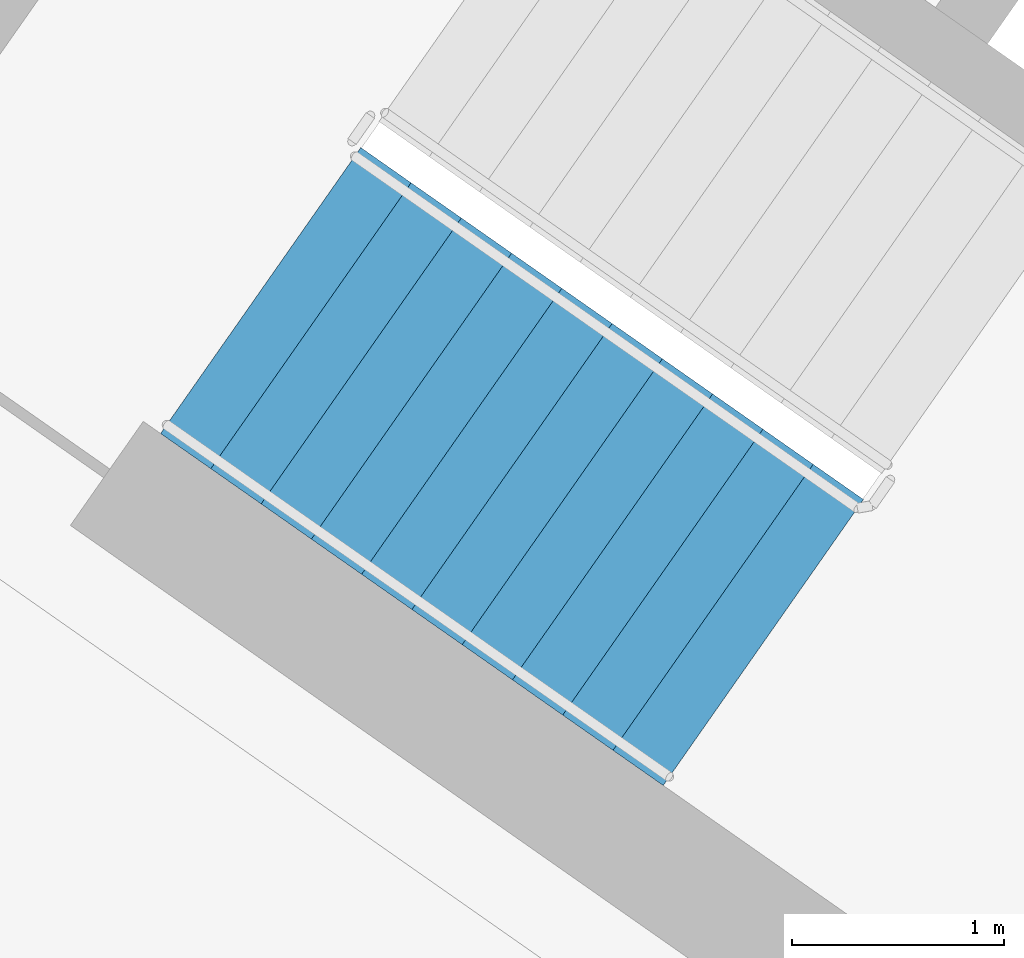
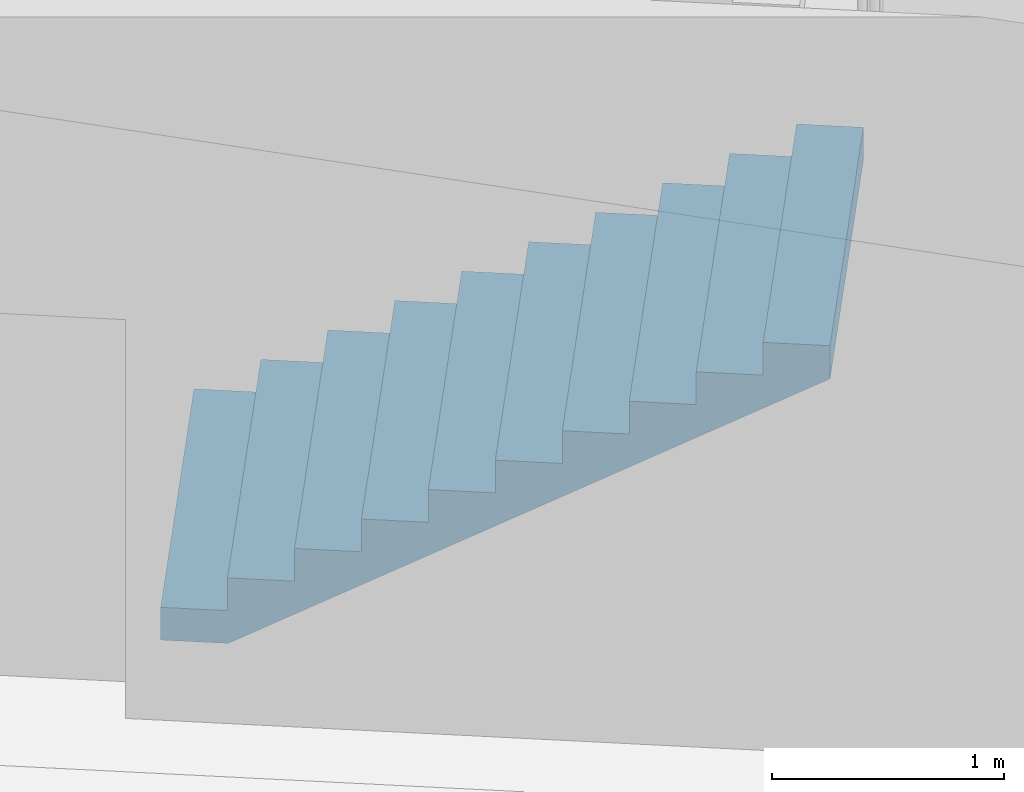
# One storey, part 9 of 29: 1 stair flight, 1 element without a shape of its own.
"""IFC4 building model written with IfcOpenShell, lengths in metres."""

from ifc_helpers import new_model, si_unit, direction, frame, origin, place, context, subcontext, project, spatial, faceted_brep, material, type_object, element, aggregate, save


model = new_model("IFC4")

# Units and contexts
model_context = context("Model", 3, precision=1e-05, world=origin(), true_north=direction((0.0, 1.0)))
body_context = subcontext(model_context, "Body", "Model", "MODEL_VIEW")
ifc_project = project(units=[si_unit("LENGTHUNIT", "METRE"), si_unit("AREAUNIT", "SQUARE_METRE"), si_unit("VOLUMEUNIT", "CUBIC_METRE"), si_unit("PLANEANGLEUNIT", "RADIAN"), si_unit("MASSUNIT", "GRAM", prefix="KILO")], contexts=[model_context])

# Site, building, storey
site_placement = place(None, origin())
site = spatial("IfcSite", under=ifc_project, at=site_placement, CompositionType="ELEMENT")
building_placement = place(site_placement, origin())
building = spatial("IfcBuilding", under=site, at=building_placement, Name="Qamariyya Broadcast Tower", CompositionType="ELEMENT")
storey_placement = place(building_placement, frame((0.0, 0.0, 207.5)))
storey = spatial("IfcBuildingStorey", under=building, at=storey_placement, Name="L49", CompositionType="ELEMENT", Elevation=207.5)

# Stair, stair flight
ifc_material = material(Name="Concrete C50/60", Category="concrete")
stair_type = type_object("IfcStairType", Name="Exit stair 22 risers of 173 mm", PredefinedType="HALF_TURN_STAIR", material=ifc_material)
stair_placement = place(storey_placement, origin())
stair = element("IfcStair", 1, at=stair_placement, inside=storey, type_object=stair_type, Name="L49 Stair W1", PredefinedType="HALF_TURN_STAIR")
stair_flight_type = type_object("IfcStairFlightType", Name="Exit stair flight 11 risers of 173 mm", PredefinedType="STRAIGHT", material=ifc_material)
stair_flight_placement = place(storey_placement, frame((-47.06884765625, -56.982666015625, 0.0), z_axis=(0.0, 0.0, 1.0), x_axis=(0.819152044289, -0.573576436351, 0.0)))
stair_flight = element("IfcStairFlight", 2, at=stair_flight_placement, type_object=stair_flight_type, Name="ST-W1 flight 1", NumberOfRisers=11, NumberOfTreads=10, PredefinedType="STRAIGHT", RiserHeight=0.172727273, TreadLength=0.29, context=body_context, shape_type="Brep", body=[
    faceted_brep([(0.0, 0.824951171875, 0.0), (0.0, 0.824951171875, 0.172607421875), (0.2900390625, 0.824951171875, 0.172607421875), (0.2900390625, 0.824951171875, 0.345458984375), (0.580078125, 0.824951171875, 0.345458984375), (0.580078125, 0.824951171875, 0.51806640625), (0.8701171875, 0.824951171875, 0.51806640625), (0.8701171875, 0.824951171875, 0.69091796875), (1.159912109375, 0.824951171875, 0.69091796875), (1.159912109375, 0.824951171875, 0.863525390625), (1.449951171875, 0.824951171875, 0.863525390625), (1.449951171875, 0.824951171875, 1.036376953125), (1.739990234375, 0.824951171875, 1.036376953125), (1.739990234375, 0.824951171875, 1.208984375), (2.030029296875, 0.824951171875, 1.208984375), (2.030029296875, 0.824951171875, 1.3818359375), (2.320068359375, 0.824951171875, 1.3818359375), (2.320068359375, 0.824951171875, 1.554443359375), (2.610107421875, 0.824951171875, 1.554443359375), (2.610107421875, 0.824951171875, 1.727294921875), (2.89990234375, 0.824951171875, 1.727294921875), (2.89990234375, 0.824951171875, 1.552734375), (0.29296875, 0.824951171875, 0.0), (0.29296875, -0.824951171875, 0.0), (2.89990234375, -0.824951171875, 1.552734375), (2.89990234375, -0.824951171875, 1.727294921875), (2.610107421875, -0.824951171875, 1.727294921875), (2.610107421875, -0.824951171875, 1.554443359375), (2.320068359375, -0.824951171875, 1.554443359375), (2.320068359375, -0.824951171875, 1.3818359375), (2.030029296875, -0.824951171875, 1.3818359375), (2.030029296875, -0.824951171875, 1.208984375), (1.739990234375, -0.824951171875, 1.208984375), (1.739990234375, -0.824951171875, 1.036376953125), (1.449951171875, -0.824951171875, 1.036376953125), (1.449951171875, -0.824951171875, 0.863525390625), (1.159912109375, -0.824951171875, 0.863525390625), (1.159912109375, -0.824951171875, 0.69091796875), (0.8701171875, -0.824951171875, 0.69091796875), (0.8701171875, -0.824951171875, 0.51806640625), (0.580078125, -0.824951171875, 0.51806640625), (0.580078125, -0.824951171875, 0.345458984375), (0.2900390625, -0.824951171875, 0.345458984375), (0.2900390625, -0.824951171875, 0.172607421875), (0.0, -0.824951171875, 0.172607421875), (0.0, -0.824951171875, 0.0), (0.0, 0.10009765625, 0.0), (0.0, 0.086669921875, 0.0), (0.0, 0.0732421875, 0.0), (0.0, 0.06005859375, 0.0), (0.0, 0.046630859375, 0.0), (0.0, 0.033447265625, 0.0), (0.0, 0.02001953125, 0.0), (0.0, 0.006591796875, 0.0), (0.0, -0.006591796875, 0.0), (0.0, -0.02001953125, 0.0), (0.0, -0.033447265625, 0.0), (0.0, -0.046630859375, 0.0), (0.0, -0.06005859375, 0.0), (0.0, -0.0732421875, 0.0), (0.0, -0.086669921875, 0.0), (0.0, -0.10009765625, 0.0), (0.0, -0.10009765625, 0.172607421875), (0.0, -0.086669921875, 0.172607421875), (0.0, -0.0732421875, 0.172607421875), (0.0, -0.06005859375, 0.172607421875), (0.0, -0.046630859375, 0.172607421875), (0.0, -0.033447265625, 0.172607421875), (0.0, -0.02001953125, 0.172607421875), (0.0, -0.006591796875, 0.172607421875), (0.0, 0.006591796875, 0.172607421875), (0.0, 0.02001953125, 0.172607421875), (0.0, 0.033447265625, 0.172607421875), (0.0, 0.046630859375, 0.172607421875), (0.0, 0.06005859375, 0.172607421875), (0.0, 0.0732421875, 0.172607421875), (0.0, 0.086669921875, 0.172607421875), (0.0, 0.10009765625, 0.172607421875), (0.2900390625, -0.10009765625, 0.172607421875), (0.2900390625, -0.086669921875, 0.172607421875), (0.2900390625, -0.0732421875, 0.172607421875), (0.2900390625, -0.06005859375, 0.172607421875), (0.2900390625, -0.046630859375, 0.172607421875), (0.2900390625, -0.033447265625, 0.172607421875), (0.2900390625, -0.02001953125, 0.172607421875), (0.2900390625, -0.006591796875, 0.172607421875), (0.2900390625, 0.006591796875, 0.172607421875), (0.2900390625, 0.02001953125, 0.172607421875), (0.2900390625, 0.033447265625, 0.172607421875), (0.2900390625, 0.046630859375, 0.172607421875), (0.2900390625, 0.06005859375, 0.172607421875), (0.2900390625, 0.0732421875, 0.172607421875), (0.2900390625, 0.086669921875, 0.172607421875), (0.2900390625, 0.10009765625, 0.172607421875), (0.2900390625, -0.10009765625, 0.345458984375), (0.2900390625, -0.086669921875, 0.345458984375), (0.2900390625, -0.0732421875, 0.345458984375), (0.2900390625, -0.06005859375, 0.345458984375), (0.2900390625, -0.046630859375, 0.345458984375), (0.2900390625, -0.033447265625, 0.345458984375), (0.2900390625, -0.02001953125, 0.345458984375), (0.2900390625, -0.006591796875, 0.345458984375), (0.2900390625, 0.006591796875, 0.345458984375), (0.2900390625, 0.02001953125, 0.345458984375), (0.2900390625, 0.033447265625, 0.345458984375), (0.2900390625, 0.046630859375, 0.345458984375), (0.2900390625, 0.06005859375, 0.345458984375), (0.2900390625, 0.0732421875, 0.345458984375), (0.2900390625, 0.086669921875, 0.345458984375), (0.2900390625, 0.10009765625, 0.345458984375), (0.580078125, -0.10009765625, 0.345458984375), (0.580078125, -0.086669921875, 0.345458984375), (0.580078125, -0.0732421875, 0.345458984375), (0.580078125, -0.06005859375, 0.345458984375), (0.580078125, -0.046630859375, 0.345458984375), (0.580078125, -0.033447265625, 0.345458984375), (0.580078125, -0.02001953125, 0.345458984375), (0.580078125, -0.006591796875, 0.345458984375), (0.580078125, 0.006591796875, 0.345458984375), (0.580078125, 0.02001953125, 0.345458984375), (0.580078125, 0.033447265625, 0.345458984375), (0.580078125, 0.046630859375, 0.345458984375), (0.580078125, 0.06005859375, 0.345458984375), (0.580078125, 0.0732421875, 0.345458984375), (0.580078125, 0.086669921875, 0.345458984375), (0.580078125, 0.10009765625, 0.345458984375), (0.580078125, -0.10009765625, 0.51806640625), (0.580078125, -0.086669921875, 0.51806640625), (0.580078125, -0.0732421875, 0.51806640625), (0.580078125, -0.06005859375, 0.51806640625), (0.580078125, -0.046630859375, 0.51806640625), (0.580078125, -0.033447265625, 0.51806640625), (0.580078125, -0.02001953125, 0.51806640625), (0.580078125, -0.006591796875, 0.51806640625), (0.580078125, 0.006591796875, 0.51806640625), (0.580078125, 0.02001953125, 0.51806640625), (0.580078125, 0.033447265625, 0.51806640625), (0.580078125, 0.046630859375, 0.51806640625), (0.580078125, 0.06005859375, 0.51806640625), (0.580078125, 0.0732421875, 0.51806640625), (0.580078125, 0.086669921875, 0.51806640625), (0.580078125, 0.10009765625, 0.51806640625), (0.8701171875, -0.10009765625, 0.51806640625), (0.8701171875, -0.086669921875, 0.51806640625), (0.8701171875, -0.0732421875, 0.51806640625), (0.8701171875, -0.06005859375, 0.51806640625), (0.8701171875, -0.046630859375, 0.51806640625), (0.8701171875, -0.033447265625, 0.51806640625), (0.8701171875, -0.02001953125, 0.51806640625), (0.8701171875, -0.006591796875, 0.51806640625), (0.8701171875, 0.006591796875, 0.51806640625), (0.8701171875, 0.02001953125, 0.51806640625), (0.8701171875, 0.033447265625, 0.51806640625), (0.8701171875, 0.046630859375, 0.51806640625), (0.8701171875, 0.06005859375, 0.51806640625), (0.8701171875, 0.0732421875, 0.51806640625), (0.8701171875, 0.086669921875, 0.51806640625), (0.8701171875, 0.10009765625, 0.51806640625), (0.8701171875, -0.10009765625, 0.69091796875), (0.8701171875, -0.086669921875, 0.69091796875), (0.8701171875, -0.0732421875, 0.69091796875), (0.8701171875, -0.06005859375, 0.69091796875), (0.8701171875, -0.046630859375, 0.69091796875), (0.8701171875, -0.033447265625, 0.69091796875), (0.8701171875, -0.02001953125, 0.69091796875), (0.8701171875, -0.006591796875, 0.69091796875), (0.8701171875, 0.006591796875, 0.69091796875), (0.8701171875, 0.02001953125, 0.69091796875), (0.8701171875, 0.033447265625, 0.69091796875), (0.8701171875, 0.046630859375, 0.69091796875), (0.8701171875, 0.06005859375, 0.69091796875), (0.8701171875, 0.0732421875, 0.69091796875), (0.8701171875, 0.086669921875, 0.69091796875), (0.8701171875, 0.10009765625, 0.69091796875), (1.159912109375, -0.10009765625, 0.69091796875), (1.159912109375, -0.086669921875, 0.69091796875), (1.159912109375, -0.0732421875, 0.69091796875), (1.159912109375, -0.06005859375, 0.69091796875), (1.159912109375, -0.046630859375, 0.69091796875), (1.159912109375, -0.033447265625, 0.69091796875), (1.159912109375, -0.02001953125, 0.69091796875), (1.159912109375, -0.006591796875, 0.69091796875), (1.159912109375, 0.006591796875, 0.69091796875), (1.159912109375, 0.02001953125, 0.69091796875), (1.159912109375, 0.033447265625, 0.69091796875), (1.159912109375, 0.046630859375, 0.69091796875), (1.159912109375, 0.06005859375, 0.69091796875), (1.159912109375, 0.0732421875, 0.69091796875), (1.159912109375, 0.086669921875, 0.69091796875), (1.159912109375, 0.10009765625, 0.69091796875), (1.159912109375, -0.10009765625, 0.863525390625), (1.159912109375, -0.086669921875, 0.863525390625), (1.159912109375, -0.0732421875, 0.863525390625), (1.159912109375, -0.06005859375, 0.863525390625), (1.159912109375, -0.046630859375, 0.863525390625), (1.159912109375, -0.033447265625, 0.863525390625), (1.159912109375, -0.02001953125, 0.863525390625), (1.159912109375, -0.006591796875, 0.863525390625), (1.159912109375, 0.006591796875, 0.863525390625), (1.159912109375, 0.02001953125, 0.863525390625), (1.159912109375, 0.033447265625, 0.863525390625), (1.159912109375, 0.046630859375, 0.863525390625), (1.159912109375, 0.06005859375, 0.863525390625), (1.159912109375, 0.0732421875, 0.863525390625), (1.159912109375, 0.086669921875, 0.863525390625), (1.159912109375, 0.10009765625, 0.863525390625), (1.449951171875, -0.10009765625, 0.863525390625), (1.449951171875, -0.086669921875, 0.863525390625), (1.449951171875, -0.0732421875, 0.863525390625), (1.449951171875, -0.06005859375, 0.863525390625), (1.449951171875, -0.046630859375, 0.863525390625), (1.449951171875, -0.033447265625, 0.863525390625), (1.449951171875, -0.02001953125, 0.863525390625), (1.449951171875, -0.006591796875, 0.863525390625), (1.449951171875, 0.006591796875, 0.863525390625), (1.449951171875, 0.02001953125, 0.863525390625), (1.449951171875, 0.033447265625, 0.863525390625), (1.449951171875, 0.046630859375, 0.863525390625), (1.449951171875, 0.06005859375, 0.863525390625), (1.449951171875, 0.0732421875, 0.863525390625), (1.449951171875, 0.086669921875, 0.863525390625), (1.449951171875, 0.10009765625, 0.863525390625), (1.449951171875, -0.10009765625, 1.036376953125), (1.449951171875, -0.086669921875, 1.036376953125), (1.449951171875, -0.0732421875, 1.036376953125), (1.449951171875, -0.06005859375, 1.036376953125), (1.449951171875, -0.046630859375, 1.036376953125), (1.449951171875, -0.033447265625, 1.036376953125), (1.449951171875, -0.02001953125, 1.036376953125), (1.449951171875, -0.006591796875, 1.036376953125), (1.449951171875, 0.006591796875, 1.036376953125), (1.449951171875, 0.02001953125, 1.036376953125), (1.449951171875, 0.033447265625, 1.036376953125), (1.449951171875, 0.046630859375, 1.036376953125), (1.449951171875, 0.06005859375, 1.036376953125), (1.449951171875, 0.0732421875, 1.036376953125), (1.449951171875, 0.086669921875, 1.036376953125), (1.449951171875, 0.10009765625, 1.036376953125), (1.739990234375, -0.10009765625, 1.036376953125), (1.739990234375, -0.086669921875, 1.036376953125), (1.739990234375, -0.0732421875, 1.036376953125), (1.739990234375, -0.06005859375, 1.036376953125), (1.739990234375, -0.046630859375, 1.036376953125), (1.739990234375, -0.033447265625, 1.036376953125), (1.739990234375, -0.02001953125, 1.036376953125), (1.739990234375, -0.006591796875, 1.036376953125), (1.739990234375, 0.006591796875, 1.036376953125), (1.739990234375, 0.02001953125, 1.036376953125), (1.739990234375, 0.033447265625, 1.036376953125), (1.739990234375, 0.046630859375, 1.036376953125), (1.739990234375, 0.06005859375, 1.036376953125), (1.739990234375, 0.0732421875, 1.036376953125), (1.739990234375, 0.086669921875, 1.036376953125), (1.739990234375, 0.10009765625, 1.036376953125), (1.739990234375, -0.10009765625, 1.208984375), (1.739990234375, -0.086669921875, 1.208984375), (1.739990234375, -0.0732421875, 1.208984375), (1.739990234375, -0.06005859375, 1.208984375), (1.739990234375, -0.046630859375, 1.208984375), (1.739990234375, -0.033447265625, 1.208984375), (1.739990234375, -0.02001953125, 1.208984375), (1.739990234375, -0.006591796875, 1.208984375), (1.739990234375, 0.006591796875, 1.208984375), (1.739990234375, 0.02001953125, 1.208984375), (1.739990234375, 0.033447265625, 1.208984375), (1.739990234375, 0.046630859375, 1.208984375), (1.739990234375, 0.06005859375, 1.208984375), (1.739990234375, 0.0732421875, 1.208984375), (1.739990234375, 0.086669921875, 1.208984375), (1.739990234375, 0.10009765625, 1.208984375), (2.030029296875, -0.10009765625, 1.208984375), (2.030029296875, -0.086669921875, 1.208984375), (2.030029296875, -0.0732421875, 1.208984375), (2.030029296875, -0.06005859375, 1.208984375), (2.030029296875, -0.046630859375, 1.208984375), (2.030029296875, -0.033447265625, 1.208984375), (2.030029296875, -0.02001953125, 1.208984375), (2.030029296875, -0.006591796875, 1.208984375), (2.030029296875, 0.006591796875, 1.208984375), (2.030029296875, 0.02001953125, 1.208984375), (2.030029296875, 0.033447265625, 1.208984375), (2.030029296875, 0.046630859375, 1.208984375), (2.030029296875, 0.06005859375, 1.208984375), (2.030029296875, 0.0732421875, 1.208984375), (2.030029296875, 0.086669921875, 1.208984375), (2.030029296875, 0.10009765625, 1.208984375), (2.030029296875, -0.10009765625, 1.3818359375), (2.030029296875, -0.086669921875, 1.3818359375), (2.030029296875, -0.0732421875, 1.3818359375), (2.030029296875, -0.06005859375, 1.3818359375), (2.030029296875, -0.046630859375, 1.3818359375), (2.030029296875, -0.033447265625, 1.3818359375), (2.030029296875, -0.02001953125, 1.3818359375), (2.030029296875, -0.006591796875, 1.3818359375), (2.030029296875, 0.006591796875, 1.3818359375), (2.030029296875, 0.02001953125, 1.3818359375), (2.030029296875, 0.033447265625, 1.3818359375), (2.030029296875, 0.046630859375, 1.3818359375), (2.030029296875, 0.06005859375, 1.3818359375), (2.030029296875, 0.0732421875, 1.3818359375), (2.030029296875, 0.086669921875, 1.3818359375), (2.030029296875, 0.10009765625, 1.3818359375), (2.320068359375, -0.10009765625, 1.3818359375), (2.320068359375, -0.086669921875, 1.3818359375), (2.320068359375, -0.0732421875, 1.3818359375), (2.320068359375, -0.06005859375, 1.3818359375), (2.320068359375, -0.046630859375, 1.3818359375), (2.320068359375, -0.033447265625, 1.3818359375), (2.320068359375, -0.02001953125, 1.3818359375), (2.320068359375, -0.006591796875, 1.3818359375), (2.320068359375, 0.006591796875, 1.3818359375), (2.320068359375, 0.02001953125, 1.3818359375), (2.320068359375, 0.033447265625, 1.3818359375), (2.320068359375, 0.046630859375, 1.3818359375), (2.320068359375, 0.06005859375, 1.3818359375), (2.320068359375, 0.0732421875, 1.3818359375), (2.320068359375, 0.086669921875, 1.3818359375), (2.320068359375, 0.10009765625, 1.3818359375), (2.320068359375, -0.10009765625, 1.554443359375), (2.320068359375, -0.086669921875, 1.554443359375), (2.320068359375, -0.0732421875, 1.554443359375), (2.320068359375, -0.06005859375, 1.554443359375), (2.320068359375, -0.046630859375, 1.554443359375), (2.320068359375, -0.033447265625, 1.554443359375), (2.320068359375, -0.02001953125, 1.554443359375), (2.320068359375, -0.006591796875, 1.554443359375), (2.320068359375, 0.006591796875, 1.554443359375), (2.320068359375, 0.02001953125, 1.554443359375), (2.320068359375, 0.033447265625, 1.554443359375), (2.320068359375, 0.046630859375, 1.554443359375), (2.320068359375, 0.06005859375, 1.554443359375), (2.320068359375, 0.0732421875, 1.554443359375), (2.320068359375, 0.086669921875, 1.554443359375), (2.320068359375, 0.10009765625, 1.554443359375), (2.610107421875, -0.10009765625, 1.554443359375), (2.610107421875, -0.086669921875, 1.554443359375), (2.610107421875, -0.0732421875, 1.554443359375), (2.610107421875, -0.06005859375, 1.554443359375), (2.610107421875, -0.046630859375, 1.554443359375), (2.610107421875, -0.033447265625, 1.554443359375), (2.610107421875, -0.02001953125, 1.554443359375), (2.610107421875, -0.006591796875, 1.554443359375), (2.610107421875, 0.006591796875, 1.554443359375), (2.610107421875, 0.02001953125, 1.554443359375), (2.610107421875, 0.033447265625, 1.554443359375), (2.610107421875, 0.046630859375, 1.554443359375), (2.610107421875, 0.06005859375, 1.554443359375), (2.610107421875, 0.0732421875, 1.554443359375), (2.610107421875, 0.086669921875, 1.554443359375), (2.610107421875, 0.10009765625, 1.554443359375), (2.610107421875, -0.10009765625, 1.727294921875), (2.610107421875, -0.086669921875, 1.727294921875), (2.610107421875, -0.0732421875, 1.727294921875), (2.610107421875, -0.06005859375, 1.727294921875), (2.610107421875, -0.046630859375, 1.727294921875), (2.610107421875, -0.033447265625, 1.727294921875), (2.610107421875, -0.02001953125, 1.727294921875), (2.610107421875, -0.006591796875, 1.727294921875), (2.610107421875, 0.006591796875, 1.727294921875), (2.610107421875, 0.02001953125, 1.727294921875), (2.610107421875, 0.033447265625, 1.727294921875), (2.610107421875, 0.046630859375, 1.727294921875), (2.610107421875, 0.06005859375, 1.727294921875), (2.610107421875, 0.0732421875, 1.727294921875), (2.610107421875, 0.086669921875, 1.727294921875), (2.610107421875, 0.10009765625, 1.727294921875), (2.89990234375, -0.10009765625, 1.727294921875), (2.89990234375, -0.086669921875, 1.727294921875), (2.89990234375, -0.0732421875, 1.727294921875), (2.89990234375, -0.06005859375, 1.727294921875), (2.89990234375, -0.046630859375, 1.727294921875), (2.89990234375, -0.033447265625, 1.727294921875), (2.89990234375, -0.02001953125, 1.727294921875), (2.89990234375, -0.006591796875, 1.727294921875), (2.89990234375, 0.006591796875, 1.727294921875), (2.89990234375, 0.02001953125, 1.727294921875), (2.89990234375, 0.033447265625, 1.727294921875), (2.89990234375, 0.046630859375, 1.727294921875), (2.89990234375, 0.06005859375, 1.727294921875), (2.89990234375, 0.0732421875, 1.727294921875), (2.89990234375, 0.086669921875, 1.727294921875), (2.89990234375, 0.10009765625, 1.727294921875), (2.89990234375, -0.10009765625, 1.552734375), (2.89990234375, -0.086669921875, 1.552734375), (2.89990234375, -0.0732421875, 1.552734375), (2.89990234375, -0.06005859375, 1.552734375), (2.89990234375, -0.046630859375, 1.552734375), (2.89990234375, -0.033447265625, 1.552734375), (2.89990234375, -0.02001953125, 1.552734375), (2.89990234375, -0.006591796875, 1.552734375), (2.89990234375, 0.006591796875, 1.552734375), (2.89990234375, 0.02001953125, 1.552734375), (2.89990234375, 0.033447265625, 1.552734375), (2.89990234375, 0.046630859375, 1.552734375), (2.89990234375, 0.06005859375, 1.552734375), (2.89990234375, 0.0732421875, 1.552734375), (2.89990234375, 0.086669921875, 1.552734375), (2.89990234375, 0.10009765625, 1.552734375), (0.29296875, -0.10009765625, 0.0), (0.29296875, -0.086669921875, 0.0), (0.29296875, -0.0732421875, 0.0), (0.29296875, -0.06005859375, 0.0), (0.29296875, -0.046630859375, 0.0), (0.29296875, -0.033447265625, 0.0), (0.29296875, -0.02001953125, 0.0), (0.29296875, -0.006591796875, 0.0), (0.29296875, 0.006591796875, 0.0), (0.29296875, 0.02001953125, 0.0), (0.29296875, 0.033447265625, 0.0), (0.29296875, 0.046630859375, 0.0), (0.29296875, 0.06005859375, 0.0), (0.29296875, 0.0732421875, 0.0), (0.29296875, 0.086669921875, 0.0), (0.29296875, 0.10009765625, 0.0)], [[[0, 1, 2, 3, 4, 5, 6, 7, 8, 9, 10, 11, 12, 13, 14, 15, 16, 17, 18, 19, 20, 21, 22]], [[23, 24, 25, 26, 27, 28, 29, 30, 31, 32, 33, 34, 35, 36, 37, 38, 39, 40, 41, 42, 43, 44, 45]], [[0, 46, 47, 48, 49, 50, 51, 52, 53, 54, 55, 56, 57, 58, 59, 60, 61, 45, 44, 62, 63, 64, 65, 66, 67, 68, 69, 70, 71, 72, 73, 74, 75, 76, 77, 1]], [[1, 77, 76, 75, 74, 73, 72, 71, 70, 69, 68, 67, 66, 65, 64, 63, 62, 44, 43, 78, 79, 80, 81, 82, 83, 84, 85, 86, 87, 88, 89, 90, 91, 92, 93, 2]], [[2, 93, 92, 91, 90, 89, 88, 87, 86, 85, 84, 83, 82, 81, 80, 79, 78, 43, 42, 94, 95, 96, 97, 98, 99, 100, 101, 102, 103, 104, 105, 106, 107, 108, 109, 3]], [[3, 109, 108, 107, 106, 105, 104, 103, 102, 101, 100, 99, 98, 97, 96, 95, 94, 42, 41, 110, 111, 112, 113, 114, 115, 116, 117, 118, 119, 120, 121, 122, 123, 124, 125, 4]], [[4, 125, 124, 123, 122, 121, 120, 119, 118, 117, 116, 115, 114, 113, 112, 111, 110, 41, 40, 126, 127, 128, 129, 130, 131, 132, 133, 134, 135, 136, 137, 138, 139, 140, 141, 5]], [[5, 141, 140, 139, 138, 137, 136, 135, 134, 133, 132, 131, 130, 129, 128, 127, 126, 40, 39, 142, 143, 144, 145, 146, 147, 148, 149, 150, 151, 152, 153, 154, 155, 156, 157, 6]], [[6, 157, 156, 155, 154, 153, 152, 151, 150, 149, 148, 147, 146, 145, 144, 143, 142, 39, 38, 158, 159, 160, 161, 162, 163, 164, 165, 166, 167, 168, 169, 170, 171, 172, 173, 7]], [[7, 173, 172, 171, 170, 169, 168, 167, 166, 165, 164, 163, 162, 161, 160, 159, 158, 38, 37, 174, 175, 176, 177, 178, 179, 180, 181, 182, 183, 184, 185, 186, 187, 188, 189, 8]], [[8, 189, 188, 187, 186, 185, 184, 183, 182, 181, 180, 179, 178, 177, 176, 175, 174, 37, 36, 190, 191, 192, 193, 194, 195, 196, 197, 198, 199, 200, 201, 202, 203, 204, 205, 9]], [[9, 205, 204, 203, 202, 201, 200, 199, 198, 197, 196, 195, 194, 193, 192, 191, 190, 36, 35, 206, 207, 208, 209, 210, 211, 212, 213, 214, 215, 216, 217, 218, 219, 220, 221, 10]], [[10, 221, 220, 219, 218, 217, 216, 215, 214, 213, 212, 211, 210, 209, 208, 207, 206, 35, 34, 222, 223, 224, 225, 226, 227, 228, 229, 230, 231, 232, 233, 234, 235, 236, 237, 11]], [[11, 237, 236, 235, 234, 233, 232, 231, 230, 229, 228, 227, 226, 225, 224, 223, 222, 34, 33, 238, 239, 240, 241, 242, 243, 244, 245, 246, 247, 248, 249, 250, 251, 252, 253, 12]], [[12, 253, 252, 251, 250, 249, 248, 247, 246, 245, 244, 243, 242, 241, 240, 239, 238, 33, 32, 254, 255, 256, 257, 258, 259, 260, 261, 262, 263, 264, 265, 266, 267, 268, 269, 13]], [[13, 269, 268, 267, 266, 265, 264, 263, 262, 261, 260, 259, 258, 257, 256, 255, 254, 32, 31, 270, 271, 272, 273, 274, 275, 276, 277, 278, 279, 280, 281, 282, 283, 284, 285, 14]], [[14, 285, 284, 283, 282, 281, 280, 279, 278, 277, 276, 275, 274, 273, 272, 271, 270, 31, 30, 286, 287, 288, 289, 290, 291, 292, 293, 294, 295, 296, 297, 298, 299, 300, 301, 15]], [[15, 301, 300, 299, 298, 297, 296, 295, 294, 293, 292, 291, 290, 289, 288, 287, 286, 30, 29, 302, 303, 304, 305, 306, 307, 308, 309, 310, 311, 312, 313, 314, 315, 316, 317, 16]], [[16, 317, 316, 315, 314, 313, 312, 311, 310, 309, 308, 307, 306, 305, 304, 303, 302, 29, 28, 318, 319, 320, 321, 322, 323, 324, 325, 326, 327, 328, 329, 330, 331, 332, 333, 17]], [[17, 333, 332, 331, 330, 329, 328, 327, 326, 325, 324, 323, 322, 321, 320, 319, 318, 28, 27, 334, 335, 336, 337, 338, 339, 340, 341, 342, 343, 344, 345, 346, 347, 348, 349, 18]], [[18, 349, 348, 347, 346, 345, 344, 343, 342, 341, 340, 339, 338, 337, 336, 335, 334, 27, 26, 350, 351, 352, 353, 354, 355, 356, 357, 358, 359, 360, 361, 362, 363, 364, 365, 19]], [[19, 365, 364, 363, 362, 361, 360, 359, 358, 357, 356, 355, 354, 353, 352, 351, 350, 26, 25, 366, 367, 368, 369, 370, 371, 372, 373, 374, 375, 376, 377, 378, 379, 380, 381, 20]], [[20, 381, 380, 379, 378, 377, 376, 375, 374, 373, 372, 371, 370, 369, 368, 367, 366, 25, 24, 382, 383, 384, 385, 386, 387, 388, 389, 390, 391, 392, 393, 394, 395, 396, 397, 21]], [[21, 397, 396, 395, 394, 393, 392, 391, 390, 389, 388, 387, 386, 385, 384, 383, 382, 24, 23, 398, 399, 400, 401, 402, 403, 404, 405, 406, 407, 408, 409, 410, 411, 412, 413, 22]], [[22, 413, 412, 411, 410, 409, 408, 407, 406, 405, 404, 403, 402, 401, 400, 399, 398, 23, 45, 61, 60, 59, 58, 57, 56, 55, 54, 53, 52, 51, 50, 49, 48, 47, 46, 0]]]),
])
aggregate(stair, [stair_flight])

save(model, "model.ifc")
